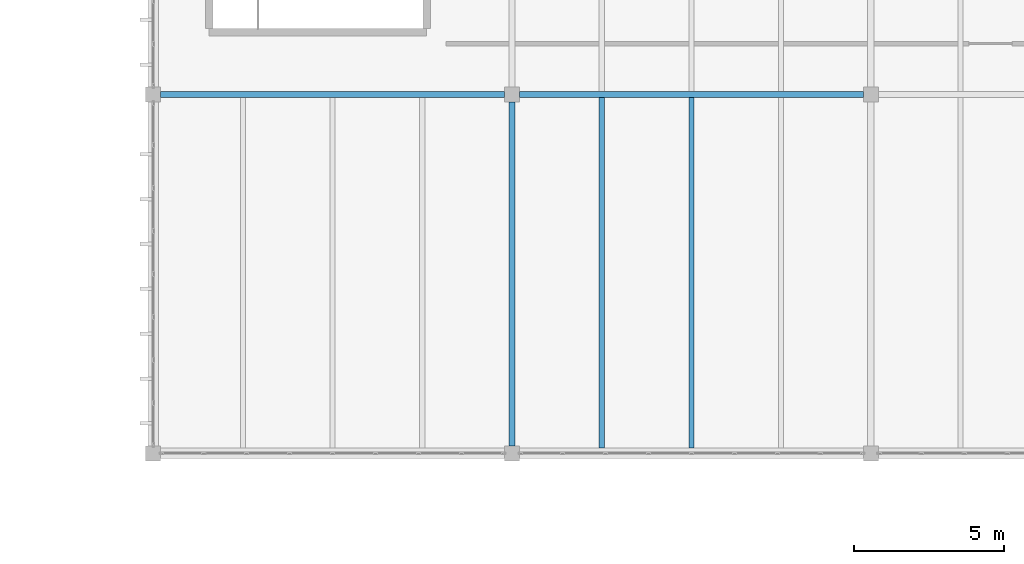
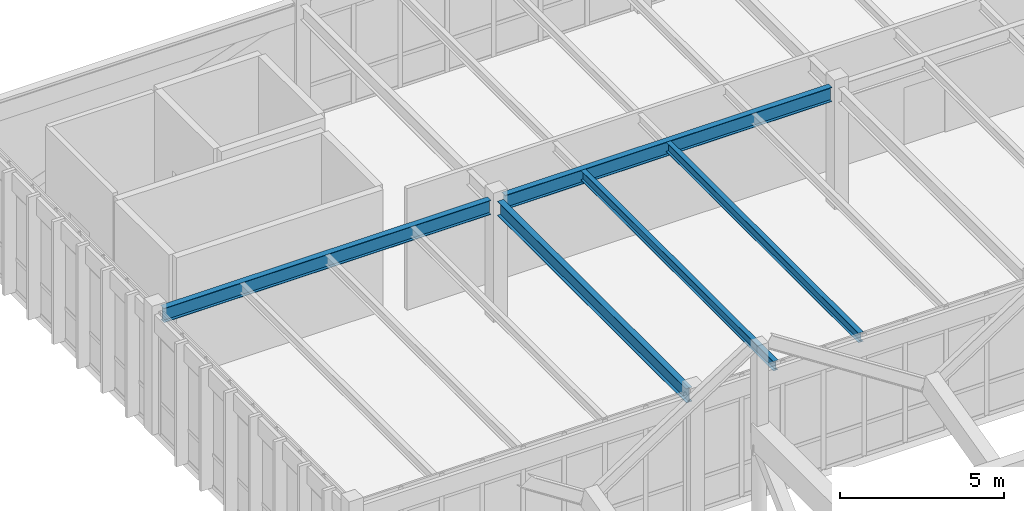
# One storey, part 93 of 236: 5 beams.
"""IFC4 building model written with IfcOpenShell, lengths in metres."""

from ifc_helpers import new_model, si_unit, direction, frame, origin, origin_2d, place, context, subcontext, project, spatial, i_section, extrude, material, material_profile, profile_set, type_object, element, save


model = new_model("IFC4")

# Units and contexts
model_context = context("Model", 3, precision=1e-05, world=origin(), true_north=direction((0.0, 1.0)))
body_context = subcontext(model_context, "Body", "Model", "MODEL_VIEW")
ifc_project = project(units=[si_unit("LENGTHUNIT", "METRE"), si_unit("AREAUNIT", "SQUARE_METRE"), si_unit("VOLUMEUNIT", "CUBIC_METRE"), si_unit("PLANEANGLEUNIT", "RADIAN"), si_unit("MASSUNIT", "GRAM", prefix="KILO")], contexts=[model_context])

# Site, building, storey
site_placement = place(None, origin())
site = spatial("IfcSite", under=ifc_project, at=site_placement, CompositionType="ELEMENT")
building_placement = place(site_placement, origin())
building = spatial("IfcBuilding", under=site, at=building_placement, Name="Pandanus Reach Market Hall", CompositionType="ELEMENT")
storey_placement = place(building_placement, frame((0.0, 0.0, 5.39990234375)))
storey = spatial("IfcBuildingStorey", under=building, at=storey_placement, Name="L01", CompositionType="ELEMENT", Elevation=5.39990234375)

# Beams
ifc_material = material(Name="Steel Grade 350 (350 MPa)", Category="steel")
ifc_material_profile_1 = material_profile(ifc_material, i_section(OverallWidth=0.208984375, OverallDepth=0.532958984375, WebThickness=0.01025390625, FlangeThickness=0.015625, at=origin_2d()), Name="530UB92.4", Category="LoadBearing")
ifc_profile_set_1 = profile_set([ifc_material_profile_1], Name="Steel Grade 350 (350 MPa)")
beam_type_1 = type_object("IfcBeamType", Name="BM-UB530-I", PredefinedType="BEAM", material=ifc_profile_set_1)
for number, where, z_axis, x_axis, name in (
    (1, (60.248046875, 108.0, 4.193115234375), (1.0, 0.0, 0.0), (0.0, 1.0, 0.0), "Framing beam BM-UB530-I L01.855"),
    (2, (72.248046875, 108.0, 4.193115234375), (1.0, 0.0, 0.0), (0.0, 1.0, 0.0), "Framing beam BM-UB530-I L01.856"),
    (3, (72.0, 96.248046875, 4.193115234375), (0.0, 1.0, 0.0), (-1.0, 0.0, 0.0), "Framing beam BM-UB530-I L01.871"),
):
    element("IfcBeam", number, at=place(storey_placement, frame(where, z_axis=z_axis, x_axis=x_axis)), inside=storey, type_object=beam_type_1, Name=name, PredefinedType="BEAM", context=body_context, shape_type="SweptSolid", body=[
        extrude(i_section(OverallWidth=0.208984375, OverallDepth=0.532958984375, WebThickness=0.01025390625, FlangeThickness=0.015625, at=origin_2d()), origin(), (0.0, 0.0, 1.0), 11.50390625),
    ])
ifc_material_profile_2 = material_profile(ifc_material, i_section(OverallWidth=0.1708984375, OverallDepth=0.35595703125, WebThickness=0.00732421875, FlangeThickness=0.011474609375, at=origin_2d()), Name="360UB50.7", Category="LoadBearing")
ifc_profile_set_2 = profile_set([ifc_material_profile_2], Name="Steel Grade 350 (350 MPa)")
beam_type_2 = type_object("IfcBeamType", Name="JS-UB360-I", PredefinedType="JOIST", material=ifc_profile_set_2)
for number, where, z_axis, x_axis, name in (
    (4, (75.0, 96.173095703125, 4.28173828125), (0.0, 1.0, 0.0), (-1.0, 0.0, 0.0), "Secondary joist JS-UB360-I L01.888"),
    (5, (78.0, 96.173095703125, 4.28173828125), (0.0, 1.0, 0.0), (-1.0, 0.0, 0.0), "Secondary joist JS-UB360-I L01.889"),
):
    element("IfcBeam", number, at=place(storey_placement, frame(where, z_axis=z_axis, x_axis=x_axis)), inside=storey, type_object=beam_type_2, Name=name, PredefinedType="JOIST", context=body_context, shape_type="SweptSolid", body=[
        extrude(i_section(OverallWidth=0.1708984375, OverallDepth=0.35595703125, WebThickness=0.00732421875, FlangeThickness=0.011474609375, at=origin_2d()), origin(), (0.0, 0.0, 1.0), 11.724365234375),
    ])

save(model, "model.ifc")
